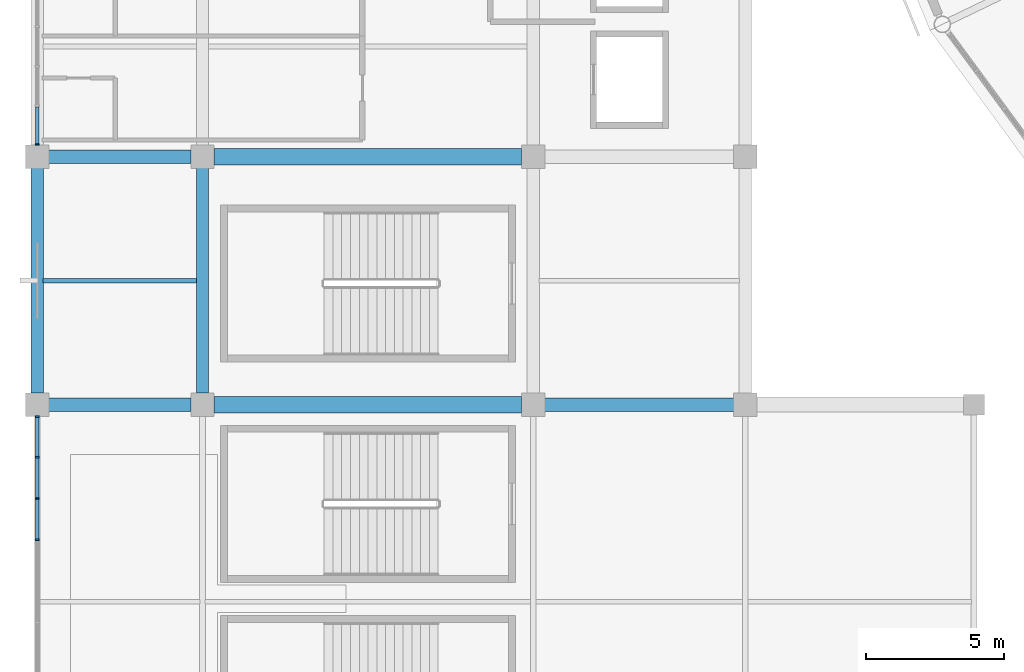
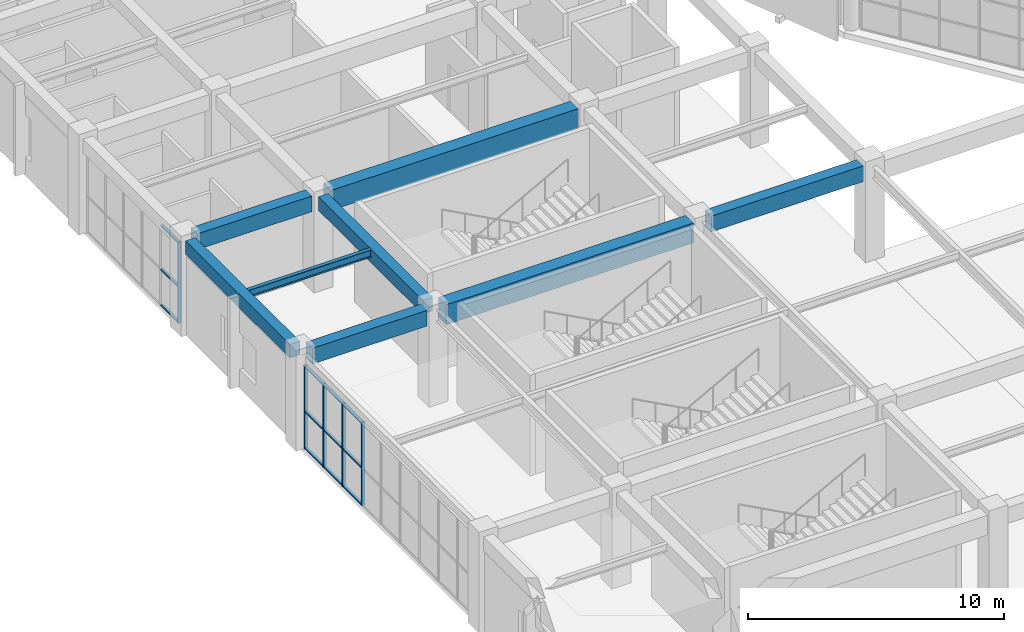
# One storey, part 19 of 112: 17 members, 8 beams, 2 elements without a shape of their own.
"""IFC4 building model written with IfcOpenShell, lengths in metres."""

from ifc_helpers import new_model, si_unit, direction, frame, origin, origin_2d, place, context, subcontext, project, spatial, rectangle, i_section, extrude, material, material_profile, profile_set, type_object, element, aggregate, save


model = new_model("IFC4")

# Units and contexts
model_context = context("Model", 3, precision=1e-05, world=origin(), true_north=direction((0.0, 1.0)))
body_context = subcontext(model_context, "Body", "Model", "MODEL_VIEW")
ifc_project = project(units=[si_unit("LENGTHUNIT", "METRE"), si_unit("AREAUNIT", "SQUARE_METRE"), si_unit("VOLUMEUNIT", "CUBIC_METRE"), si_unit("PLANEANGLEUNIT", "RADIAN"), si_unit("MASSUNIT", "GRAM", prefix="KILO")], contexts=[model_context])

# Site, building, storey
site_placement = place(None, origin())
site = spatial("IfcSite", under=ifc_project, at=site_placement, CompositionType="ELEMENT")
building_placement = place(site_placement, origin())
building = spatial("IfcBuilding", under=site, at=building_placement, Name="Cuetzalor Civic Arena", CompositionType="ELEMENT")
storey_placement = place(building_placement, frame((0.0, 0.0, 11.39990234375)))
storey = spatial("IfcBuildingStorey", under=building, at=storey_placement, Name="L02", CompositionType="ELEMENT", Elevation=11.39990234375)

# Beams
ifc_material_1 = material(Name="Concrete C40/50", Category="concrete")
ifc_material_profile_1 = material_profile(ifc_material_1, rectangle(XDim=0.5, YDim=0.75, at=origin_2d()), Name="RC 500x750")
ifc_profile_set_1 = profile_set([ifc_material_profile_1], Name="Concrete C40/50")
beam_type_1 = type_object("IfcBeamType", Name="ConcreteFrameBeam_500x750", PredefinedType="BEAM", material=ifc_profile_set_1)
beam_1_placement = place(storey_placement, frame((-81.5849609375, -34.0, 4.14501953125), z_axis=(1.0, 0.0, 0.0), x_axis=(0.0, 1.0, 0.0)))
element("IfcBeam", 1, at=beam_1_placement, inside=storey, type_object=beam_type_1, Name="Frame Girder V4W-L02-X0630", PredefinedType="BEAM", context=body_context, shape_type="SweptSolid", body=[
    extrude(rectangle(XDim=0.5, YDim=0.75, at=origin_2d()), origin(), (0.0, 0.0, 1.0), 5.169921875),
])
beam_2_placement = place(storey_placement, frame((-63.5849609375, -34.0, 4.14501953125), z_axis=(1.0, 0.0, 0.0), x_axis=(0.0, 1.0, 0.0)))
element("IfcBeam", 2, at=beam_2_placement, inside=storey, type_object=beam_type_1, Name="Frame Girder V4W-L02-X0632", PredefinedType="BEAM", context=body_context, shape_type="SweptSolid", body=[
    extrude(rectangle(XDim=0.5, YDim=0.75, at=origin_2d()), origin(), (0.0, 0.0, 1.0), 6.869873046875),
])
beam_3_placement = place(storey_placement, frame((-81.5849609375, -25.0, 4.14501953125), z_axis=(1.0, 0.0, 0.0), x_axis=(0.0, 1.0, 0.0)))
element("IfcBeam", 3, at=beam_3_placement, inside=storey, type_object=beam_type_1, Name="Frame Girder V4W-L02-X0634", PredefinedType="BEAM", context=body_context, shape_type="SweptSolid", body=[
    extrude(rectangle(XDim=0.5, YDim=0.75, at=origin_2d()), origin(), (0.0, 0.0, 1.0), 5.169921875),
])
ifc_material_2 = material(Name="Concrete C40/50", Category="concrete")
ifc_material_profile_2 = material_profile(ifc_material_2, rectangle(XDim=0.60009765625, YDim=0.949951171875, at=origin_2d()), Name="RC 600x950")
ifc_profile_set_2 = profile_set([ifc_material_profile_2], Name="Concrete C40/50")
beam_type_2 = type_object("IfcBeamType", Name="ConcreteFrameBeam_600x950", PredefinedType="BEAM", material=ifc_profile_set_2)
for number, where, z_axis, x_axis, name in (
    (4, (-75.5849609375, -34.0, 4.045166015625), (1.0, 0.0, 0.0), (0.0, 1.0, 0.0), "Frame Girder V4W-L02-X0631"),
    (5, (-75.5849609375, -25.0, 4.045166015625), (1.0, 0.0, 0.0), (0.0, 1.0, 0.0), "Frame Girder V4W-L02-X0635"),
):
    element("IfcBeam", number, at=place(storey_placement, frame(where, z_axis=z_axis, x_axis=x_axis)), inside=storey, type_object=beam_type_2, Name=name, PredefinedType="BEAM", context=body_context, shape_type="SweptSolid", body=[
        extrude(rectangle(XDim=0.60009765625, YDim=0.949951171875, at=origin_2d()), origin(), (0.0, 0.0, 1.0), 11.169921875),
    ])
ifc_material_3 = material(Name="Concrete C40/50", Category="concrete")
ifc_material_profile_3 = material_profile(ifc_material_3, rectangle(XDim=0.449951171875, YDim=0.64990234375, at=origin_2d()), Name="RC 450x650")
ifc_profile_set_3 = profile_set([ifc_material_profile_3], Name="Concrete C40/50")
beam_type_3 = type_object("IfcBeamType", Name="ConcreteTieBeam_450x650", PredefinedType="BEAM", material=ifc_profile_set_3)
for number, where, z_axis, x_axis, name in (
    (6, (-82.0, -33.5849609375, 4.195068359375), (0.0, 1.0, 0.0), (-1.0, 0.0, 0.0), "Frame Girder V4W-L02-Y0660"),
    (7, (-76.0, -33.5849609375, 4.195068359375), (0.0, 1.0, 0.0), (-1.0, 0.0, 0.0), "Frame Girder V4W-L02-Y0670"),
):
    element("IfcBeam", number, at=place(storey_placement, frame(where, z_axis=z_axis, x_axis=x_axis)), inside=storey, type_object=beam_type_3, Name=name, PredefinedType="BEAM", context=body_context, shape_type="SweptSolid", body=[
        extrude(rectangle(XDim=0.449951171875, YDim=0.64990234375, at=origin_2d()), origin(), (0.0, 0.0, 1.0), 8.169921875),
    ])

# Curtain wall, members
ifc_material_4 = material(Name="Anodised dark bronze aluminium and low-E solar glass", Category="aluminium")
curtain_wall_type_1 = type_object("IfcCurtainWallType", Name="UnitisedCW_13500x4000", PredefinedType="USERDEFINED", material=ifc_material_4)
curtain_wall_1_placement = place(storey_placement, origin())
curtain_wall_1 = element("IfcCurtainWall", 8, at=curtain_wall_1_placement, inside=storey, type_object=curtain_wall_type_1, Name="V4W Suite Viewing Curtain Wall L02-113", ObjectType="UNITISED CURTAIN WALL", PredefinedType="USERDEFINED")
ifc_material_5 = material(Name="Anodised dark bronze aluminium", Category="aluminium")
ifc_material_profile_4 = material_profile(ifc_material_5, rectangle(XDim=0.06494140625, YDim=0.14990234375, at=origin_2d()), Name="ALU MULLION 65x150")
ifc_profile_set_4 = profile_set([ifc_material_profile_4], Name="Anodised dark bronze aluminium")
member_type_1 = type_object("IfcMemberType", Name="CurtainWallMullion_60x150", PredefinedType="MULLION", material=ifc_profile_set_4)
member_1_placement = place(storey_placement, frame((-82.0, -38.90234375, 0.0), z_axis=(0.0, 0.0, 1.0), x_axis=(0.0, 1.0, 0.0)))
member_1 = element("IfcMember", 9, at=member_1_placement, type_object=member_type_1, Name="CW-40 mullion 7", PredefinedType="MULLION", context=body_context, shape_type="SweptSolid", body=[
    extrude(rectangle(XDim=0.06494140625, YDim=0.14990234375, at=origin_2d()), origin(), (0.0, 0.0, 1.0), 3.97705078125),
])
member_2_placement = place(storey_placement, frame((-82.0, -37.40380859375, 0.0), z_axis=(0.0, 0.0, 1.0), x_axis=(0.0, 1.0, 0.0)))
member_2 = element("IfcMember", 10, at=member_2_placement, type_object=member_type_1, Name="CW-40 mullion 8", PredefinedType="MULLION", context=body_context, shape_type="SweptSolid", body=[
    extrude(rectangle(XDim=0.06494140625, YDim=0.14990234375, at=origin_2d()), origin(), (0.0, 0.0, 1.0), 3.97705078125),
])
member_3_placement = place(storey_placement, frame((-82.0, -35.905517578125, 0.0), z_axis=(0.0, 0.0, 1.0), x_axis=(0.0, 1.0, 0.0)))
member_3 = element("IfcMember", 11, at=member_3_placement, type_object=member_type_1, Name="CW-40 mullion 9", PredefinedType="MULLION", context=body_context, shape_type="SweptSolid", body=[
    extrude(rectangle(XDim=0.06494140625, YDim=0.14990234375, at=origin_2d()), origin(), (0.0, 0.0, 1.0), 3.97705078125),
])
member_4_placement = place(storey_placement, frame((-82.0, -34.439453125, 0.0), z_axis=(0.0, 0.0, 1.0), x_axis=(0.0, 1.0, 0.0)))
member_4 = element("IfcMember", 12, at=member_4_placement, type_object=member_type_1, Name="CW-40 mullion 10", PredefinedType="MULLION", context=body_context, shape_type="SweptSolid", body=[
    extrude(rectangle(XDim=0.06494140625, YDim=0.14990234375, at=origin_2d()), origin(), (0.0, 0.0, 1.0), 3.97705078125),
])

# Curtain wall, member
ifc_material_6 = material(Name="Anodised dark bronze aluminium and low-E solar glass", Category="aluminium")
curtain_wall_type_2 = type_object("IfcCurtainWallType", Name="UnitisedCW_7200x3850", PredefinedType="USERDEFINED", material=ifc_material_6)
curtain_wall_2_placement = place(storey_placement, origin())
curtain_wall_2 = element("IfcCurtainWall", 13, at=curtain_wall_2_placement, inside=storey, type_object=curtain_wall_type_2, Name="V4W Suite Viewing Curtain Wall L02-114", ObjectType="UNITISED CURTAIN WALL", PredefinedType="USERDEFINED")
member_5_placement = place(storey_placement, frame((-82.0, -24.560546875, 0.0), z_axis=(0.0, 0.0, 1.0), x_axis=(0.0, 1.0, 0.0)))
member_5 = element("IfcMember", 14, at=member_5_placement, type_object=member_type_1, Name="CW-41 mullion 1", PredefinedType="MULLION", context=body_context, shape_type="SweptSolid", body=[
    extrude(rectangle(XDim=0.06494140625, YDim=0.14990234375, at=origin_2d()), origin(), (0.0, 0.0, 1.0), 3.860107421875),
])

# Member
ifc_material_7 = material(Name="Anodised dark bronze aluminium", Category="aluminium")
ifc_material_profile_5 = material_profile(ifc_material_7, rectangle(XDim=0.1201171875, YDim=0.06494140625, at=origin_2d()), Name="ALU TRANSOM 65x120")
ifc_profile_set_5 = profile_set([ifc_material_profile_5], Name="Anodised dark bronze aluminium")
member_type_2 = type_object("IfcMemberType", Name="CurtainWallTransom_60x120", PredefinedType="USERDEFINED", material=ifc_profile_set_5)
member_6_placement = place(storey_placement, frame((-82.0, -38.869873046875, 0.03271484375), z_axis=(0.0, 1.0, 0.0), x_axis=(-1.0, 0.0, 0.0)))
member_6 = element("IfcMember", 15, at=member_6_placement, type_object=member_type_2, Name="CW-40 transom 7.1", ObjectType="TRANSOM", PredefinedType="USERDEFINED", context=body_context, shape_type="SweptSolid", body=[
    extrude(rectangle(XDim=0.1201171875, YDim=0.06494140625, at=origin_2d()), origin(), (0.0, 0.0, 1.0), 1.43359375),
])

member_7_placement = place(storey_placement, frame((-82.0, -38.869873046875, 1.7900390625), z_axis=(0.0, 1.0, 0.0), x_axis=(-1.0, 0.0, 0.0)))
member_7 = element("IfcMember", 16, at=member_7_placement, type_object=member_type_2, Name="CW-40 transom 7.2", ObjectType="TRANSOM", PredefinedType="USERDEFINED", context=body_context, shape_type="SweptSolid", body=[
    extrude(rectangle(XDim=0.1201171875, YDim=0.06494140625, at=origin_2d()), origin(), (0.0, 0.0, 1.0), 1.43359375),
])

member_8_placement = place(storey_placement, frame((-82.0, -38.869873046875, 3.944580078125), z_axis=(0.0, 1.0, 0.0), x_axis=(-1.0, 0.0, 0.0)))
member_8 = element("IfcMember", 17, at=member_8_placement, type_object=member_type_2, Name="CW-40 transom 7.3", ObjectType="TRANSOM", PredefinedType="USERDEFINED", context=body_context, shape_type="SweptSolid", body=[
    extrude(rectangle(XDim=0.1201171875, YDim=0.06494140625, at=origin_2d()), origin(), (0.0, 0.0, 1.0), 1.43359375),
])

member_9_placement = place(storey_placement, frame((-82.0, -37.371337890625, 0.03271484375), z_axis=(0.0, 1.0, 0.0), x_axis=(-1.0, 0.0, 0.0)))
member_9 = element("IfcMember", 18, at=member_9_placement, type_object=member_type_2, Name="CW-40 transom 8.1", ObjectType="TRANSOM", PredefinedType="USERDEFINED", context=body_context, shape_type="SweptSolid", body=[
    extrude(rectangle(XDim=0.1201171875, YDim=0.06494140625, at=origin_2d()), origin(), (0.0, 0.0, 1.0), 1.433349609375),
])

member_10_placement = place(storey_placement, frame((-82.0, -37.371337890625, 1.7900390625), z_axis=(0.0, 1.0, 0.0), x_axis=(-1.0, 0.0, 0.0)))
member_10 = element("IfcMember", 19, at=member_10_placement, type_object=member_type_2, Name="CW-40 transom 8.2", ObjectType="TRANSOM", PredefinedType="USERDEFINED", context=body_context, shape_type="SweptSolid", body=[
    extrude(rectangle(XDim=0.1201171875, YDim=0.06494140625, at=origin_2d()), origin(), (0.0, 0.0, 1.0), 1.433349609375),
])

member_11_placement = place(storey_placement, frame((-82.0, -37.371337890625, 3.944580078125), z_axis=(0.0, 1.0, 0.0), x_axis=(-1.0, 0.0, 0.0)))
member_11 = element("IfcMember", 20, at=member_11_placement, type_object=member_type_2, Name="CW-40 transom 8.3", ObjectType="TRANSOM", PredefinedType="USERDEFINED", context=body_context, shape_type="SweptSolid", body=[
    extrude(rectangle(XDim=0.1201171875, YDim=0.06494140625, at=origin_2d()), origin(), (0.0, 0.0, 1.0), 1.433349609375),
])

member_12_placement = place(storey_placement, frame((-82.0, -35.873046875, 0.03271484375), z_axis=(0.0, 1.0, 0.0), x_axis=(-1.0, 0.0, 0.0)))
member_12 = element("IfcMember", 21, at=member_12_placement, type_object=member_type_2, Name="CW-40 transom 9.1", ObjectType="TRANSOM", PredefinedType="USERDEFINED", context=body_context, shape_type="SweptSolid", body=[
    extrude(rectangle(XDim=0.1201171875, YDim=0.06494140625, at=origin_2d()), origin(), (0.0, 0.0, 1.0), 1.401123046875),
])

member_13_placement = place(storey_placement, frame((-82.0, -35.873046875, 1.7900390625), z_axis=(0.0, 1.0, 0.0), x_axis=(-1.0, 0.0, 0.0)))
member_13 = element("IfcMember", 22, at=member_13_placement, type_object=member_type_2, Name="CW-40 transom 9.2", ObjectType="TRANSOM", PredefinedType="USERDEFINED", context=body_context, shape_type="SweptSolid", body=[
    extrude(rectangle(XDim=0.1201171875, YDim=0.06494140625, at=origin_2d()), origin(), (0.0, 0.0, 1.0), 1.401123046875),
])

member_14_placement = place(storey_placement, frame((-82.0, -35.873046875, 3.944580078125), z_axis=(0.0, 1.0, 0.0), x_axis=(-1.0, 0.0, 0.0)))
member_14 = element("IfcMember", 23, at=member_14_placement, type_object=member_type_2, Name="CW-40 transom 9.3", ObjectType="TRANSOM", PredefinedType="USERDEFINED", context=body_context, shape_type="SweptSolid", body=[
    extrude(rectangle(XDim=0.1201171875, YDim=0.06494140625, at=origin_2d()), origin(), (0.0, 0.0, 1.0), 1.401123046875),
])

aggregate(curtain_wall_1, [member_1, member_2, member_3, member_4, member_6, member_7, member_8, member_9, member_10, member_11, member_12, member_13, member_14])

member_15_placement = place(storey_placement, frame((-82.0, -24.528076171875, 0.03271484375), z_axis=(0.0, 1.0, 0.0), x_axis=(-1.0, 0.0, 0.0)))
member_15 = element("IfcMember", 24, at=member_15_placement, type_object=member_type_2, Name="CW-41 transom 1.1", ObjectType="TRANSOM", PredefinedType="USERDEFINED", context=body_context, shape_type="SweptSolid", body=[
    extrude(rectangle(XDim=0.1201171875, YDim=0.06494140625, at=origin_2d()), origin(), (0.0, 0.0, 1.0), 1.33984375),
])

member_16_placement = place(storey_placement, frame((-82.0, -24.528076171875, 1.737060546875), z_axis=(0.0, 1.0, 0.0), x_axis=(-1.0, 0.0, 0.0)))
member_16 = element("IfcMember", 25, at=member_16_placement, type_object=member_type_2, Name="CW-41 transom 1.2", ObjectType="TRANSOM", PredefinedType="USERDEFINED", context=body_context, shape_type="SweptSolid", body=[
    extrude(rectangle(XDim=0.1201171875, YDim=0.06494140625, at=origin_2d()), origin(), (0.0, 0.0, 1.0), 1.33984375),
])

member_17_placement = place(storey_placement, frame((-82.0, -24.528076171875, 3.82763671875), z_axis=(0.0, 1.0, 0.0), x_axis=(-1.0, 0.0, 0.0)))
member_17 = element("IfcMember", 26, at=member_17_placement, type_object=member_type_2, Name="CW-41 transom 1.3", ObjectType="TRANSOM", PredefinedType="USERDEFINED", context=body_context, shape_type="SweptSolid", body=[
    extrude(rectangle(XDim=0.1201171875, YDim=0.06494140625, at=origin_2d()), origin(), (0.0, 0.0, 1.0), 1.33984375),
])

aggregate(curtain_wall_2, [member_5, member_15, member_16, member_17])

# Beam
ifc_material_8 = material(Name="Steel S355", Category="steel")
ifc_material_profile_6 = material_profile(ifc_material_8, i_section(OverallWidth=0.1708984375, OverallDepth=0.35498046875, WebThickness=0.007080078125, FlangeThickness=0.01171875, at=origin_2d()), Name="W360x51")
ifc_profile_set_6 = profile_set([ifc_material_profile_6], Name="Steel S355")
beam_type_4 = type_object("IfcBeamType", Name="SecondaryFloorJoist_W360", PredefinedType="JOIST", material=ifc_profile_set_6)
beam_4_placement = place(storey_placement, frame((-81.782958984375, -29.5, 4.342529296875), z_axis=(1.0, 0.0, 0.0), x_axis=(0.0, 1.0, 0.0)))
element("IfcBeam", 27, at=beam_4_placement, inside=storey, type_object=beam_type_4, Name="Secondary Floor Joist V4W-L02-0191", PredefinedType="JOIST", context=body_context, shape_type="SweptSolid", body=[
    extrude(i_section(OverallWidth=0.1708984375, OverallDepth=0.35498046875, WebThickness=0.007080078125, FlangeThickness=0.01171875, at=origin_2d()), origin(), (0.0, 0.0, 1.0), 5.56591796875),
])

save(model, "model.ifc")
